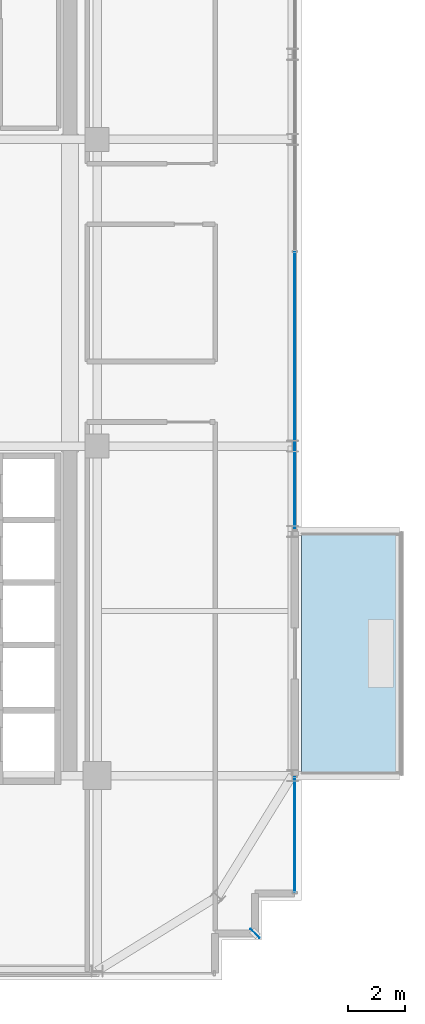
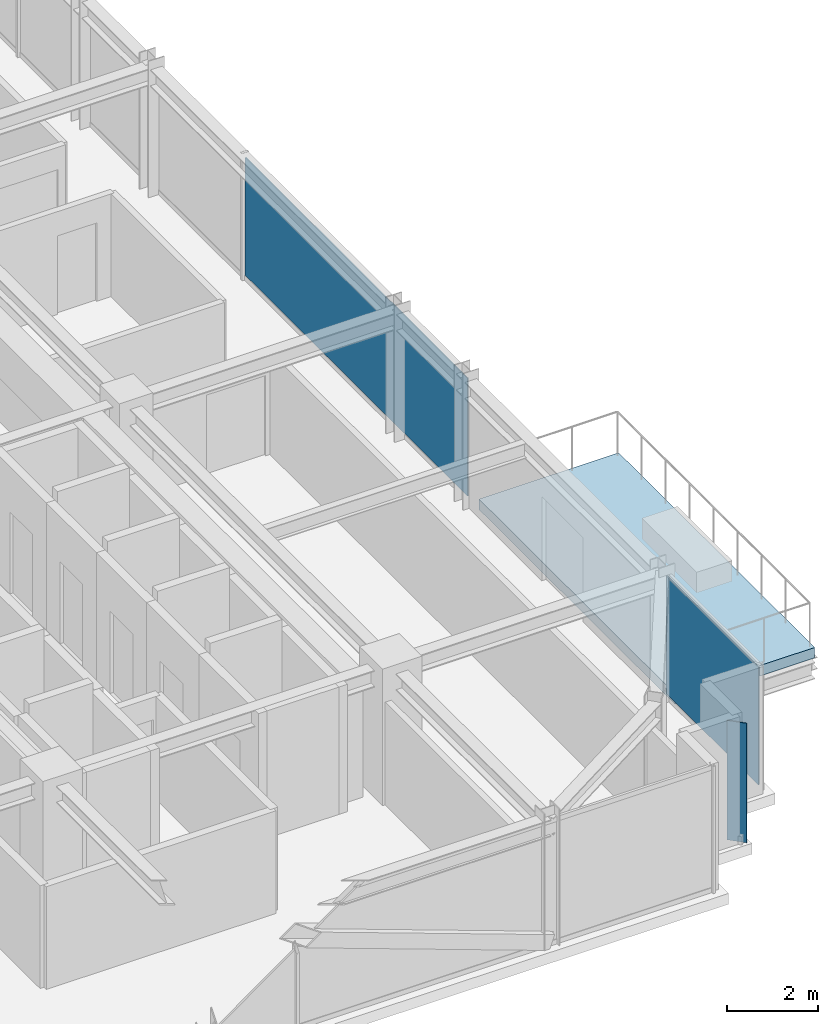
# One storey, part 31 of 42: 3 plates, 1 slab, 2 elements without a shape of their own.
"""IFC4 building model written with IfcOpenShell, lengths in metres."""

from ifc_helpers import new_model, si_unit, direction, frame, origin, origin_2d, place, context, subcontext, project, spatial, polyline, rectangle, outline, extrude, source, transform, mapped, material, layer, layer_set, type_object, element, aggregate, save


model = new_model("IFC4")

# Units and contexts
model_context = context("Model", 3, precision=1e-05, world=origin(), true_north=direction((0.0, 1.0)))
body_context = subcontext(model_context, "Body", "Model", "MODEL_VIEW")
ifc_project = project(units=[si_unit("LENGTHUNIT", "METRE"), si_unit("AREAUNIT", "SQUARE_METRE"), si_unit("VOLUMEUNIT", "CUBIC_METRE"), si_unit("PLANEANGLEUNIT", "RADIAN"), si_unit("MASSUNIT", "GRAM", prefix="KILO")], contexts=[model_context])

# Site, building, storey
site_placement = place(None, origin())
site = spatial("IfcSite", under=ifc_project, at=site_placement, CompositionType="ELEMENT")
building_placement = place(site_placement, origin())
building = spatial("IfcBuilding", under=site, at=building_placement, Name="Nahalor Promenade Grand Hotel", CompositionType="ELEMENT")
storey_placement = place(building_placement, frame((0.0, 0.0, 249.300048828125)))
storey = spatial("IfcBuildingStorey", under=building, at=storey_placement, Name="L64", CompositionType="ELEMENT", Elevation=249.300048828125)

# Slab
ifc_material_1 = material(Name="Concrete B-50 (C40/50)", Category="concrete")
ifc_layer_1 = layer(ifc_material_1, 0.280029296875)
ifc_layer_set_1 = layer_set([ifc_layer_1], Name="Concrete B-50 (C40/50)")
slab_type = type_object("IfcSlabType", Name="Slab-Balcony-280", PredefinedType="FLOOR", material=ifc_layer_set_1)
slab_placement = place(storey_placement, frame((0.0, 0.0, -0.280029296875)))
element("IfcSlab", 1, at=slab_placement, inside=storey, type_object=slab_type, Name="L64 Cantilevered Planted Balcony 2", PredefinedType="FLOOR", context=body_context, shape_type="SweptSolid", body=[
    extrude(outline(polyline([(24.199951171875, -17.0), (27.739990234375, -17.0), (27.739990234375, -8.39990234375), (24.199951171875, -8.39990234375), (24.199951171875, -17.0)])), origin(), (0.0, 0.0, 1.0), 0.280029296875),
])

# Plate
ifc_material_2 = material(Name="Anodised Bronze Aluminium EN AW-6063 T6", Category="aluminium")
ifc_layer_2 = layer(ifc_material_2, 0.02001953125)
ifc_layer_set_2 = layer_set([ifc_layer_2], Name="Anodised Bronze Aluminium EN AW-6063 T6")
plate_type_1 = type_object("IfcPlateType", Name="Plate-CornerFin-20", PredefinedType="SHEET", material=ifc_layer_set_2)
shared_shape_1 = source(origin(), body_context, "Body", "SweptSolid", [
    extrude(rectangle(XDim=0.449951171875, YDim=0.02001953125, at=origin_2d()), origin(), (0.0, 0.0, 1.0), 3.199951171875),
])
plate_1_placement = place(storey_placement, frame((22.56005859375, -22.56005859375, 0.0), z_axis=(0.0, 0.0, 1.0), x_axis=(-0.707106781187, 0.707106781187, 0.0)))
element("IfcPlate", 2, at=plate_1_placement, inside=storey, type_object=plate_type_1, Name="FIN-L64-SE", PredefinedType="SHEET", context=body_context, shape_type="MappedRepresentation", body=[
    mapped(shared_shape_1, transform((0.0, 0.0, 0.0), scale=1.0)),
])

# Curtain wall, plate
curtain_wall_type = type_object("IfcCurtainWallType", Name="CW2 Typical Hotel Flush Bronze Unitised Curtain Wall", PredefinedType="USERDEFINED", material=ifc_material_2)
curtain_wall_1_placement = place(storey_placement, origin())
curtain_wall_1 = element("IfcCurtainWall", 3, at=curtain_wall_1_placement, inside=storey, type_object=curtain_wall_type, Name="L64 Curtain Wall CW-L64-E-1", ObjectType="UNITISED_CURTAIN_WALL", PredefinedType="USERDEFINED")
ifc_material_3 = material(Name="Low-E Laminated Solar Glass", Category="glass")
ifc_layer_3 = layer(ifc_material_3, 0.028076171875)
ifc_layer_set_3 = layer_set([ifc_layer_3], Name="Low-E Laminated Solar Glass")
plate_type_2 = type_object("IfcPlateType", Name="CWP2 Bronze Low-E Vision IGU 28mm", PredefinedType="CURTAIN_PANEL", material=ifc_layer_set_3)
shared_shape_2 = source(origin(), body_context, "Body", "SweptSolid", [
    extrude(rectangle(XDim=4.030029296875, YDim=0.028076171875, at=origin_2d()), origin(), (0.0, 0.0, 1.0), 3.14990234375),
])
plate_2_placement = place(storey_placement, frame((23.9599609375, -19.080078125, 0.1298828125), z_axis=(0.0, 0.0, 1.0), x_axis=(0.0, 1.0, 0.0)))
plate_2 = element("IfcPlate", 4, at=plate_2_placement, type_object=plate_type_2, Name="CW-L64-E-1 Glazing Panel 0-0", PredefinedType="CURTAIN_PANEL", context=body_context, shape_type="MappedRepresentation", body=[
    mapped(shared_shape_2, transform((0.0, 0.0, 0.0), scale=1.0)),
])
aggregate(curtain_wall_1, [plate_2])

curtain_wall_2_placement = place(storey_placement, origin())
curtain_wall_2 = element("IfcCurtainWall", 5, at=curtain_wall_2_placement, inside=storey, type_object=curtain_wall_type, Name="L64 Curtain Wall CW-L64-E-3", ObjectType="UNITISED_CURTAIN_WALL", PredefinedType="USERDEFINED")
shared_shape_3 = source(origin(), body_context, "Body", "SweptSolid", [
    extrude(rectangle(XDim=9.755859375, YDim=0.028076171875, at=origin_2d()), origin(), (0.0, 0.0, 1.0), 3.14990234375),
])
plate_3_placement = place(storey_placement, frame((23.9599609375, -3.45703125, 0.1298828125), z_axis=(0.0, 0.0, 1.0), x_axis=(0.0, 1.0, 0.0)))
plate_3 = element("IfcPlate", 6, at=plate_3_placement, type_object=plate_type_2, Name="CW-L64-E-3 Glazing Panel 0-0", PredefinedType="CURTAIN_PANEL", context=body_context, shape_type="MappedRepresentation", body=[
    mapped(shared_shape_3, transform((0.0, 0.0, 0.0), scale=1.0)),
])
aggregate(curtain_wall_2, [plate_3])

save(model, "model.ifc")
